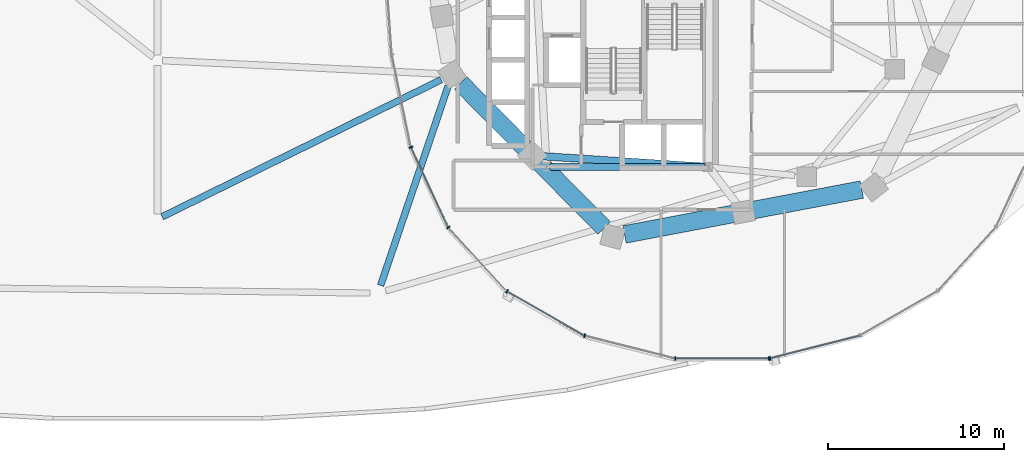
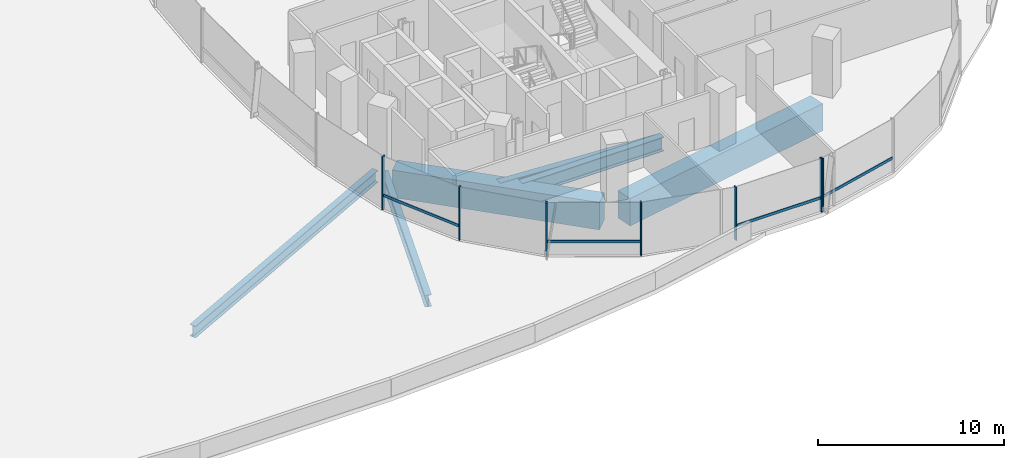
# One storey, part 9 of 28: 11 members, 6 beams, 2 elements without a shape of their own.
"""IFC4 building model written with IfcOpenShell, lengths in metres."""

from ifc_helpers import new_model, si_unit, direction, frame, origin, origin_2d, place, context, subcontext, project, spatial, rectangle, i_section, extrude, material, material_profile, profile_set, type_object, element, aggregate, save


model = new_model("IFC4")

# Units and contexts
model_context = context("Model", 3, precision=1e-05, world=origin(), true_north=direction((0.0, 1.0)))
body_context = subcontext(model_context, "Body", "Model", "MODEL_VIEW")
ifc_project = project(units=[si_unit("LENGTHUNIT", "METRE"), si_unit("AREAUNIT", "SQUARE_METRE"), si_unit("VOLUMEUNIT", "CUBIC_METRE"), si_unit("PLANEANGLEUNIT", "RADIAN"), si_unit("MASSUNIT", "GRAM", prefix="KILO"), si_unit("THERMODYNAMICTEMPERATUREUNIT", "KELVIN"), si_unit("POWERUNIT", "WATT")], contexts=[model_context])

# Site, building, storey
site_placement = place(None, origin())
site = spatial("IfcSite", under=ifc_project, at=site_placement, CompositionType="ELEMENT")
building_placement = place(site_placement, origin())
building = spatial("IfcBuilding", under=site, at=building_placement, Name="Cundina Bronze Exchange", CompositionType="ELEMENT")
storey_placement = place(building_placement, frame((0.0, 0.0, 24.0)))
storey = spatial("IfcBuildingStorey", under=building, at=storey_placement, Name="L05", CompositionType="ELEMENT", Elevation=24.0)

# Beams
ifc_material_1 = material(Name="Steel ASTM A992 Grade 50", Category="steel")
ifc_material_profile_1 = material_profile(ifc_material_1, i_section(OverallWidth=0.381103515625, OverallDepth=0.77294921875, WebThickness=0.0166015625, FlangeThickness=0.027099609375, FilletRadius=0.01904296875, at=origin_2d()), Name="W30X173", Category="steel")
ifc_profile_set_1 = profile_set([ifc_material_profile_1], Name="Steel ASTM A992 Grade 50")
beam_type_1 = type_object("IfcBeamType", Name="BM-RING-W30", PredefinedType="USERDEFINED", material=ifc_profile_set_1)
beam_1_placement = place(storey_placement, frame((12.6484375, -21.761474609375, -0.69140625), z_axis=(0.320812062771, 0.947142872211, 0.0), x_axis=(-0.947142872211, 0.320812062771, 0.0)))
element("IfcBeam", 1, at=beam_1_placement, inside=storey, type_object=beam_type_1, Name="L05 Podium Colonnade Tie Beam 05", ObjectType="GIRDER", PredefinedType="USERDEFINED", context=body_context, shape_type="SweptSolid", body=[
    extrude(i_section(OverallWidth=0.381103515625, OverallDepth=0.77294921875, WebThickness=0.0166015625, FlangeThickness=0.027099609375, FilletRadius=0.01904296875, at=origin_2d()), origin(), (0.0, 0.0, 1.0), 11.94091796875),
])
beam_2_placement = place(storey_placement, frame((0.258544921875, -17.873046875, -0.69140625), z_axis=(0.897630752677, 0.44074826358, 0.0), x_axis=(-0.44074826358, 0.897630752677, 0.0)))
element("IfcBeam", 2, at=beam_2_placement, inside=storey, type_object=beam_type_1, Name="L05 Concourse East Span Girder 01", ObjectType="GIRDER", PredefinedType="USERDEFINED", context=body_context, shape_type="SweptSolid", body=[
    extrude(i_section(OverallWidth=0.381103515625, OverallDepth=0.77294921875, WebThickness=0.0166015625, FlangeThickness=0.027099609375, FilletRadius=0.01904296875, at=origin_2d()), origin(), (0.0, 0.0, 1.0), 17.628662109375),
])
ifc_material_profile_2 = material_profile(ifc_material_1, i_section(OverallWidth=0.423095703125, OverallDepth=0.947998046875, WebThickness=0.02392578125, FlangeThickness=0.042724609375, FilletRadius=0.02392578125, at=origin_2d()), Name="W36X302", Category="steel")
ifc_profile_set_2 = profile_set([ifc_material_profile_2], Name="Steel ASTM A992 Grade 50")
beam_type_2 = type_object("IfcBeamType", Name="BM-WRN-W36A", PredefinedType="USERDEFINED", material=ifc_profile_set_2)
beam_3_placement = place(storey_placement, frame((31.04638671875, -15.036865234375, -0.77392578125), z_axis=(-0.997892866458, 0.064883180197, 0.0), x_axis=(-0.064883180197, -0.997892866458, 0.0)))
element("IfcBeam", 3, at=beam_3_placement, inside=storey, type_object=beam_type_2, Name="L05 E Transfer Radial Tie Girder 03", ObjectType="GIRDER", PredefinedType="USERDEFINED", context=body_context, shape_type="SweptSolid", body=[
    extrude(i_section(OverallWidth=0.423095703125, OverallDepth=0.947998046875, WebThickness=0.02392578125, FlangeThickness=0.042724609375, FilletRadius=0.02392578125, at=origin_2d()), origin(), (0.0, 0.0, 1.0), 9.817138671875),
])
ifc_material_profile_3 = material_profile(ifc_material_1, i_section(OverallWidth=0.41796875, OverallDepth=0.927001953125, WebThickness=0.019287109375, FlangeThickness=0.031982421875, FilletRadius=0.02392578125, at=origin_2d()), Name="W36X231", Category="steel")
ifc_profile_set_3 = profile_set([ifc_material_profile_3], Name="Steel ASTM A992 Grade 50")
beam_type_3 = type_object("IfcBeamType", Name="BM-WRN-W36B", PredefinedType="USERDEFINED", material=ifc_profile_set_3)
beam_4_placement = place(storey_placement, frame((22.25390625, -15.050048828125, -0.763427734375), z_axis=(1.0, 0.0, 0.0), x_axis=(0.0, 1.0, 0.0)))
element("IfcBeam", 4, at=beam_4_placement, inside=storey, type_object=beam_type_3, Name="L05 E Core Perimeter Tie Girder 3", ObjectType="GIRDER", PredefinedType="USERDEFINED", context=body_context, shape_type="SweptSolid", body=[
    extrude(i_section(OverallWidth=0.41796875, OverallDepth=0.927001953125, WebThickness=0.019287109375, FlangeThickness=0.031982421875, FilletRadius=0.02392578125, at=origin_2d()), origin(), (0.0, 0.0, 1.0), 8.7919921875),
])
ifc_material_2 = material(Name="Concrete C60/75", Category="concrete")
ifc_material_profile_4 = material_profile(ifc_material_2, rectangle(XDim=1.0, YDim=1.800048828125, at=origin_2d()), Name="RC1000X1800", Category="concrete")
ifc_profile_set_4 = profile_set([ifc_material_profile_4], Name="Concrete C60/75")
beam_type_4 = type_object("IfcBeamType", Name="BM-XFER-RC1800", PredefinedType="USERDEFINED", material=ifc_profile_set_4)
beam_5_placement = place(storey_placement, frame((17.183837890625, -10.2890625, -1.199951171875), z_axis=(0.703222219128, -0.710970119291, 0.0), x_axis=(0.710970119291, 0.703222219128, 0.0)))
element("IfcBeam", 5, at=beam_5_placement, inside=storey, type_object=beam_type_4, Name="L05 E Podium Perimeter Transfer Girder 02", ObjectType="GIRDER", PredefinedType="USERDEFINED", context=body_context, shape_type="SweptSolid", body=[
    extrude(rectangle(XDim=1.0, YDim=1.800048828125, at=origin_2d()), origin(), (0.0, 0.0, 1.0), 11.564453125),
])
beam_6_placement = place(storey_placement, frame((26.47607421875, -18.8720703125, -1.199951171875), z_axis=(0.982570597927, 0.18588980631, 0.0), x_axis=(-0.18588980631, 0.982570597927, 0.0)))
element("IfcBeam", 6, at=beam_6_placement, inside=storey, type_object=beam_type_4, Name="L05 E Podium Perimeter Transfer Girder 04", ObjectType="GIRDER", PredefinedType="USERDEFINED", context=body_context, shape_type="SweptSolid", body=[
    extrude(rectangle(XDim=1.0, YDim=1.800048828125, at=origin_2d()), origin(), (0.0, 0.0, 1.0), 13.6865234375),
])

# Curtain wall, members
ifc_material_3 = material(Name="Anodised Bronze Aluminium 6063-T6", Category="aluminium")
curtain_wall_type = type_object("IfcCurtainWallType", Name="CWS-TRD-LOW", PredefinedType="NOTDEFINED", material=ifc_material_3)
curtain_wall_1_placement = place(storey_placement, origin())
curtain_wall_1 = element("IfcCurtainWall", 7, at=curtain_wall_1_placement, inside=storey, type_object=curtain_wall_type, Name="L05 CW-02 Curtain Wall Run CWR-L05-E3", PredefinedType="NOTDEFINED")
ifc_material_profile_5 = material_profile(ifc_material_3, rectangle(XDim=0.074951171875, YDim=0.219970703125, at=origin_2d()), Name="AL75X220", Category="aluminium")
ifc_profile_set_5 = profile_set([ifc_material_profile_5], Name="Anodised Bronze Aluminium 6063-T6")
member_type_1 = type_object("IfcMemberType", Name="CWM-MUL-220", PredefinedType="MULLION", material=ifc_profile_set_5)
member_1_placement = place(storey_placement, frame((14.3720703125, -13.931884765625, 0.0), z_axis=(0.0, 0.0, 1.0), x_axis=(0.42087749791, -0.907117485088, 0.0)))
member_1 = element("IfcMember", 8, at=member_1_placement, type_object=member_type_1, Name="CW-02 Mullion 3", PredefinedType="MULLION", context=body_context, shape_type="SweptSolid", body=[
    extrude(rectangle(XDim=0.074951171875, YDim=0.219970703125, at=origin_2d()), origin(), (0.0, 0.0, 1.0), 3.5),
])
member_2_placement = place(storey_placement, frame((16.491455078125, -18.47705078125, 0.0), z_axis=(0.0, 0.0, 1.0), x_axis=(0.674302387584, -0.738455340626, 0.0)))
member_2 = element("IfcMember", 9, at=member_2_placement, type_object=member_type_1, Name="CW-02 Mullion 4", PredefinedType="MULLION", context=body_context, shape_type="SweptSolid", body=[
    extrude(rectangle(XDim=0.074951171875, YDim=0.219970703125, at=origin_2d()), origin(), (0.0, 0.0, 1.0), 3.5),
])
member_3_placement = place(storey_placement, frame((19.810302734375, -22.097412109375, 0.0), z_axis=(0.0, 0.0, 1.0), x_axis=(0.867070701164, -0.498185105339, 0.0)))
member_3 = element("IfcMember", 10, at=member_3_placement, type_object=member_type_1, Name="CW-02 Mullion 5", PredefinedType="MULLION", context=body_context, shape_type="SweptSolid", body=[
    extrude(rectangle(XDim=0.074951171875, YDim=0.219970703125, at=origin_2d()), origin(), (0.0, 0.0, 1.0), 3.5),
])
member_4_placement = place(storey_placement, frame((24.21484375, -24.61669921875, 0.0), z_axis=(0.0, 0.0, 1.0), x_axis=(0.969488149345, -0.245138182011, 0.0)))
member_4 = element("IfcMember", 11, at=member_4_placement, type_object=member_type_1, Name="CW-02 Mullion 6", PredefinedType="MULLION", context=body_context, shape_type="SweptSolid", body=[
    extrude(rectangle(XDim=0.074951171875, YDim=0.219970703125, at=origin_2d()), origin(), (0.0, 0.0, 1.0), 3.5),
])
member_5_placement = place(storey_placement, frame((29.345458984375, -25.905029296875, 0.0), z_axis=(0.0, 0.0, 1.0), x_axis=(1.0, 0.0, 0.0)))
member_5 = element("IfcMember", 12, at=member_5_placement, type_object=member_type_1, Name="CW-02 Mullion 7", PredefinedType="MULLION", context=body_context, shape_type="SweptSolid", body=[
    extrude(rectangle(XDim=0.074951171875, YDim=0.219970703125, at=origin_2d()), origin(), (0.0, 0.0, 1.0), 3.5),
])
member_6_placement = place(storey_placement, frame((34.654541015625, -25.905029296875, 0.0), z_axis=(0.0, 0.0, 1.0), x_axis=(1.0, 0.0, 0.0)))
member_6 = element("IfcMember", 13, at=member_6_placement, type_object=member_type_1, Name="CW-02 End Mullion", PredefinedType="MULLION", context=body_context, shape_type="SweptSolid", body=[
    extrude(rectangle(XDim=0.074951171875, YDim=0.219970703125, at=origin_2d()), origin(), (0.0, 0.0, 1.0), 3.5),
])

# Curtain wall, member
curtain_wall_2_placement = place(storey_placement, origin())
curtain_wall_2 = element("IfcCurtainWall", 14, at=curtain_wall_2_placement, inside=storey, type_object=curtain_wall_type, Name="L05 CW-02 Curtain Wall Run CWR-L05-E4", PredefinedType="NOTDEFINED")
member_7_placement = place(storey_placement, frame((34.72607421875, -25.89599609375, 0.0), z_axis=(0.0, 0.0, 1.0), x_axis=(0.969488149345, 0.245138182011, 0.0)))
member_7 = element("IfcMember", 15, at=member_7_placement, type_object=member_type_1, Name="CW-02 Mullion 1", PredefinedType="MULLION", context=body_context, shape_type="SweptSolid", body=[
    extrude(rectangle(XDim=0.074951171875, YDim=0.219970703125, at=origin_2d()), origin(), (0.0, 0.0, 1.0), 3.5),
])

# Member
ifc_material_profile_6 = material_profile(ifc_material_3, rectangle(XDim=0.070068359375, YDim=0.179931640625, at=origin_2d()), Name="AL70X180", Category="aluminium")
ifc_profile_set_6 = profile_set([ifc_material_profile_6], Name="Anodised Bronze Aluminium 6063-T6")
member_type_2 = type_object("IfcMemberType", Name="CWM-TRN-180", PredefinedType="USERDEFINED", material=ifc_profile_set_6)
member_8_placement = place(storey_placement, frame((14.389404296875, -13.96923828125, 0.919921875), z_axis=(0.420811422796, -0.907148139195, 0.0), x_axis=(0.907148139195, 0.420811422796, 0.0)))
member_8 = element("IfcMember", 16, at=member_8_placement, type_object=member_type_2, Name="CW-02 Spandrel Transom 3", ObjectType="TRANSOM", PredefinedType="USERDEFINED", context=body_context, shape_type="SweptSolid", body=[
    extrude(rectangle(XDim=0.070068359375, YDim=0.179931640625, at=origin_2d()), origin(), (0.0, 0.0, 1.0), 4.95166015625),
])

member_9_placement = place(storey_placement, frame((19.845947265625, -22.117919921875, 0.919921875), z_axis=(0.867097475651, -0.498138502546, 0.0), x_axis=(0.498138502546, 0.867097475651, 0.0)))
member_9 = element("IfcMember", 17, at=member_9_placement, type_object=member_type_2, Name="CW-02 Spandrel Transom 5", ObjectType="TRANSOM", PredefinedType="USERDEFINED", context=body_context, shape_type="SweptSolid", body=[
    extrude(rectangle(XDim=0.070068359375, YDim=0.179931640625, at=origin_2d()), origin(), (0.0, 0.0, 1.0), 5.00634765625),
])

member_10_placement = place(storey_placement, frame((29.38671875, -25.905029296875, 0.919921875), z_axis=(1.0, 0.0, 0.0), x_axis=(0.0, 1.0, 0.0)))
member_10 = element("IfcMember", 18, at=member_10_placement, type_object=member_type_2, Name="CW-02 Spandrel Transom 7", ObjectType="TRANSOM", PredefinedType="USERDEFINED", context=body_context, shape_type="SweptSolid", body=[
    extrude(rectangle(XDim=0.070068359375, YDim=0.179931640625, at=origin_2d()), origin(), (0.0, 0.0, 1.0), 5.2265625),
])

aggregate(curtain_wall_1, [member_1, member_8, member_2, member_3, member_9, member_4, member_5, member_6, member_10])

member_11_placement = place(storey_placement, frame((34.76611328125, -25.885986328125, 0.919921875), z_axis=(0.969483968866, 0.245154714644, 0.0), x_axis=(-0.245154714644, 0.969483968866, 0.0)))
member_11 = element("IfcMember", 19, at=member_11_placement, type_object=member_type_2, Name="CW-02 Spandrel Transom 1", ObjectType="TRANSOM", PredefinedType="USERDEFINED", context=body_context, shape_type="SweptSolid", body=[
    extrude(rectangle(XDim=0.070068359375, YDim=0.179931640625, at=origin_2d()), origin(), (0.0, 0.0, 1.0), 5.21826171875),
])

aggregate(curtain_wall_2, [member_7, member_11])

save(model, "model.ifc")
